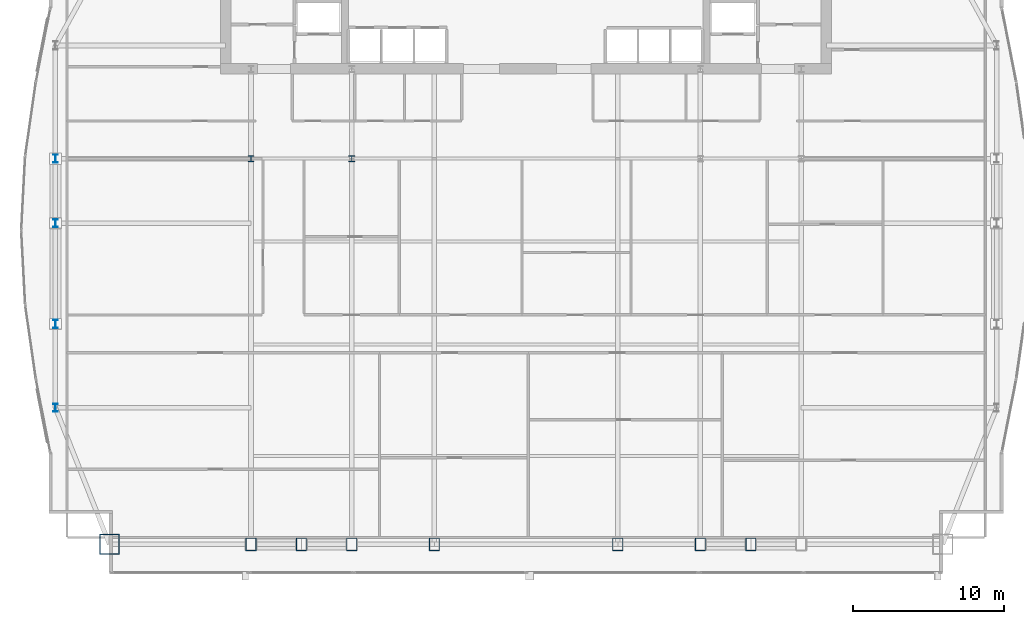
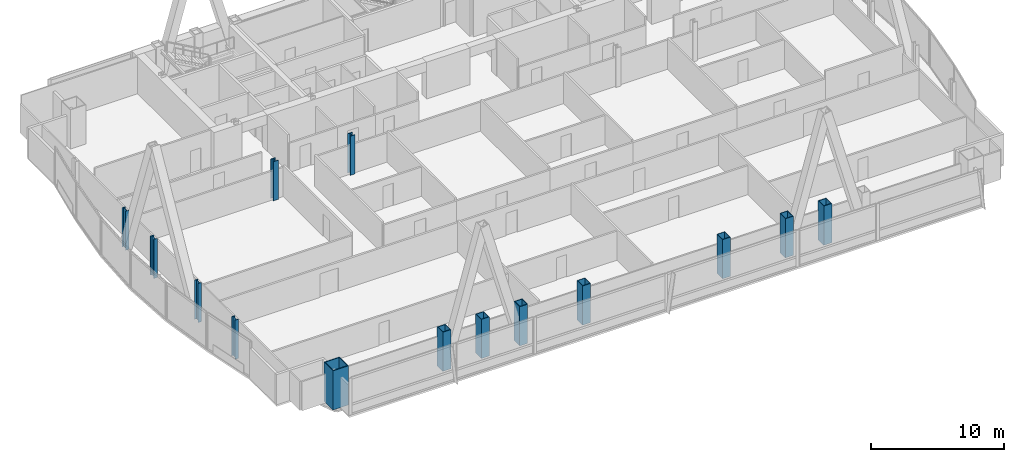
# One storey, part 1 of 31: 14 columns.
"""IFC4 building model written with IfcOpenShell, lengths in metres."""

from ifc_helpers import new_model, si_unit, direction, frame, origin, origin_2d, place, context, subcontext, project, spatial, hollow_rectangle, i_section, extrude, material, material_profile, profile_set, type_object, element, save


model = new_model("IFC4")

# Units and contexts
model_context = context("Model", 3, precision=1e-05, world=origin(), true_north=direction((0.0, 1.0)))
body_context = subcontext(model_context, "Body", "Model", "MODEL_VIEW")
ifc_project = project(units=[si_unit("LENGTHUNIT", "METRE"), si_unit("AREAUNIT", "SQUARE_METRE"), si_unit("VOLUMEUNIT", "CUBIC_METRE"), si_unit("PLANEANGLEUNIT", "RADIAN"), si_unit("MASSUNIT", "GRAM", prefix="KILO")], contexts=[model_context])

# Site, building, storey
site_placement = place(None, origin())
site = spatial("IfcSite", under=ifc_project, at=site_placement, CompositionType="ELEMENT")
building_placement = place(site_placement, origin())
building = spatial("IfcBuilding", under=site, at=building_placement, Name="Khoronbel Lancet Exchange", CompositionType="ELEMENT")
storey_placement = place(building_placement, frame((0.0, 0.0, 168.60009765625)))
storey = spatial("IfcBuildingStorey", under=building, at=storey_placement, Name="L42", CompositionType="ELEMENT", Elevation=168.60009765625)

# Columns
ifc_material_1 = material(Name="Steel S460", Category="steel")
ifc_material_profile_1 = material_profile(ifc_material_1, hollow_rectangle(XDim=0.699951171875, YDim=0.85009765625, WallThickness=0.050048828125, at=origin_2d()), Name="BOX 850x700x50")
ifc_profile_set_1 = profile_set([ifc_material_profile_1], Name="Steel S460")
column_type_1 = type_object("IfcColumnType", Name="COL-EC2", PredefinedType="COLUMN", material=ifc_profile_set_1)
for number, where, z_axis, x_axis, name in (
    (1, (18.22509765625, 10.14990234375, 0.0), (0.0, 0.0, 1.0), (1.0, 0.0, 0.0), "Structural column SC-W1 L42"),
    (2, (21.5625, 10.14990234375, 0.0), (0.0, 0.0, 1.0), (1.0, 0.0, 0.0), "Structural column SC-WM L42"),
    (3, (24.89990234375, 10.14990234375, 0.0), (0.0, 0.0, 1.0), (1.0, 0.0, 0.0), "Structural column SC-W2 L42"),
    (4, (30.375, 10.14990234375, 0.0), (0.0, 0.0, 1.0), (1.0, 0.0, 0.0), "Structural column SC-C1 L42"),
    (5, (42.52490234375, 10.14990234375, 0.0), (0.0, 0.0, 1.0), (1.0, 0.0, 0.0), "Structural column SC-C2 L42"),
    (6, (48.0, 10.14990234375, 0.0), (0.0, 0.0, 1.0), (1.0, 0.0, 0.0), "Structural column SC-E1 L42"),
    (7, (51.33740234375, 10.14990234375, 0.0), (0.0, 0.0, 1.0), (1.0, 0.0, 0.0), "Structural column SC-EM L42"),
):
    element("IfcColumn", number, at=place(storey_placement, frame(where, z_axis=z_axis, x_axis=x_axis)), inside=storey, type_object=column_type_1, Name=name, PredefinedType="COLUMN", context=body_context, shape_type="SweptSolid", body=[
        extrude(hollow_rectangle(XDim=0.699951171875, YDim=0.85009765625, WallThickness=0.050048828125, at=origin_2d()), origin(), (0.0, 0.0, 1.0), 3.599853515625),
    ])
ifc_material_profile_2 = material_profile(ifc_material_1, i_section(OverallWidth=0.416015625, OverallDepth=0.446044921875, WebThickness=0.0390625, FlangeThickness=0.062744140625, at=origin_2d()), Name="HD 400x509")
ifc_profile_set_2 = profile_set([ifc_material_profile_2], Name="Steel S460")
column_type_2 = type_object("IfcColumnType", Name="COL-IC2", PredefinedType="COLUMN", material=ifc_profile_set_2)
for number, where, z_axis, x_axis, name in (
    (8, (18.22509765625, 35.699951171875, 0.0), (0.0, 0.0, 1.0), (1.0, 0.0, 0.0), "Spine gravity column TC1 L42"),
    (9, (24.89990234375, 35.699951171875, 0.0), (0.0, 0.0, 1.0), (1.0, 0.0, 0.0), "Spine gravity column TC2 L42"),
):
    element("IfcColumn", number, at=place(storey_placement, frame(where, z_axis=z_axis, x_axis=x_axis)), inside=storey, type_object=column_type_2, Name=name, PredefinedType="COLUMN", context=body_context, shape_type="SweptSolid", body=[
        extrude(i_section(OverallWidth=0.416015625, OverallDepth=0.446044921875, WebThickness=0.0390625, FlangeThickness=0.062744140625, at=origin_2d()), origin(), (0.0, 0.0, 1.0), 3.599853515625),
    ])
ifc_material_2 = material(Name="Steel S355", Category="steel")
ifc_material_profile_3 = material_profile(ifc_material_2, i_section(OverallWidth=0.300048828125, OverallDepth=0.550048828125, WebThickness=0.014892578125, FlangeThickness=0.029052734375, at=origin_2d()), Name="HEB 550")
ifc_profile_set_3 = profile_set([ifc_material_profile_3], Name="Steel S355")
column_type_3 = type_object("IfcColumnType", Name="COL-LC1", PredefinedType="COLUMN", material=ifc_profile_set_3)
for number, where, z_axis, x_axis, name in (
    (10, (5.27001953125, 19.199951171875, 0.0), (0.0, 0.0, 1.0), (1.0, 0.0, 0.0), "Structural column WC-1 L42"),
    (11, (5.27001953125, 24.75, 0.0), (0.0, 0.0, 1.0), (1.0, 0.0, 0.0), "Structural column WC-2 L42"),
    (12, (5.27001953125, 31.425048828125, 0.0), (0.0, 0.0, 1.0), (1.0, 0.0, 0.0), "Structural column WC-M L42"),
    (13, (5.27001953125, 35.699951171875, 0.0), (0.0, 0.0, 1.0), (1.0, 0.0, 0.0), "Structural column WC-3 L42"),
):
    element("IfcColumn", number, at=place(storey_placement, frame(where, z_axis=z_axis, x_axis=x_axis)), inside=storey, type_object=column_type_3, Name=name, PredefinedType="COLUMN", context=body_context, shape_type="SweptSolid", body=[
        extrude(i_section(OverallWidth=0.300048828125, OverallDepth=0.550048828125, WebThickness=0.014892578125, FlangeThickness=0.029052734375, at=origin_2d()), origin(), (0.0, 0.0, 1.0), 3.599853515625),
    ])
ifc_material_profile_4 = material_profile(ifc_material_1, hollow_rectangle(XDim=1.35009765625, YDim=1.35009765625, WallThickness=0.06494140625, at=origin_2d()), Name="BOX 1350x1350x65")
ifc_profile_set_4 = profile_set([ifc_material_profile_4], Name="Steel S460")
column_type_4 = type_object("IfcColumnType", Name="COL-MC4", PredefinedType="COLUMN", material=ifc_profile_set_4)
column_placement = place(storey_placement, frame((8.85009765625, 10.14990234375, 0.0), z_axis=(0.0, 0.0, 1.0), x_axis=(1.0, 0.0, 0.0)))
element("IfcColumn", 14, at=column_placement, inside=storey, type_object=column_type_4, Name="Structural column MC-SW L42", PredefinedType="COLUMN", context=body_context, shape_type="SweptSolid", body=[
    extrude(hollow_rectangle(XDim=1.35009765625, YDim=1.35009765625, WallThickness=0.06494140625, at=origin_2d()), origin(), (0.0, 0.0, 1.0), 3.599853515625),
])

save(model, "model.ifc")
